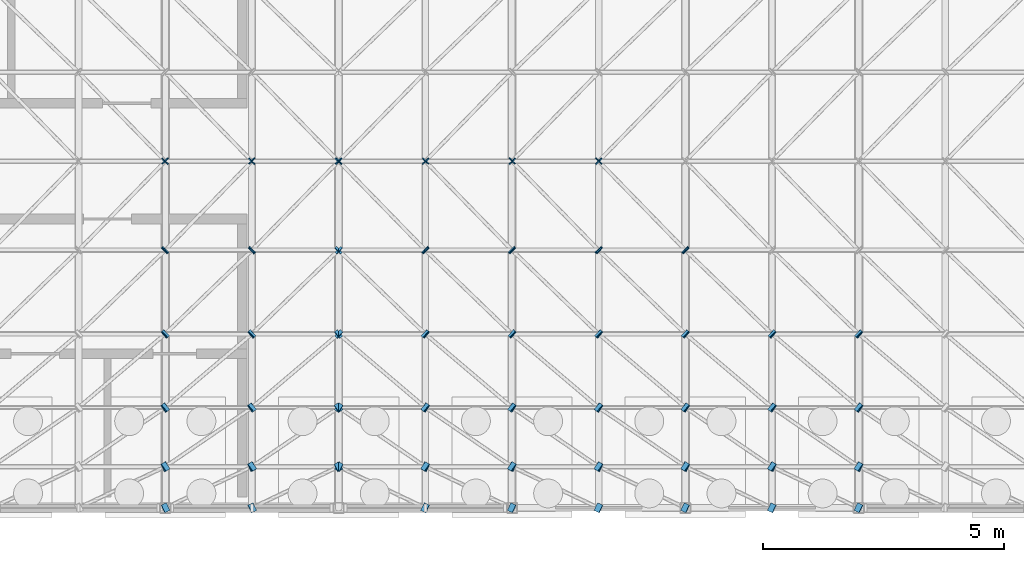
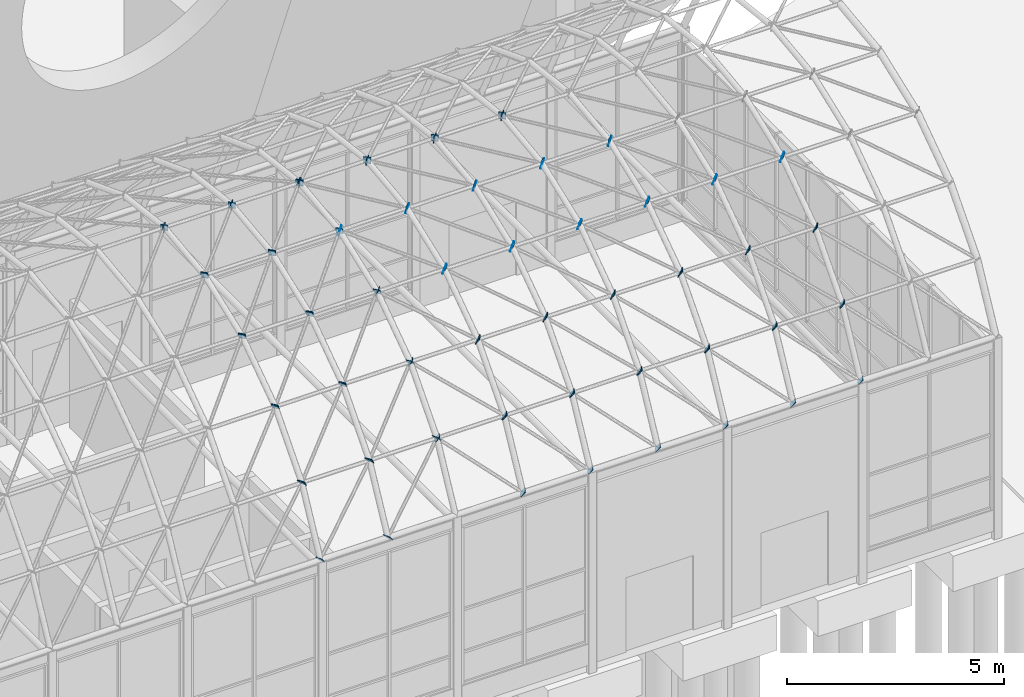
# One storey, part 103 of 116: 90 discrete accessories.
"""IFC4 building model written with IfcOpenShell, lengths in metres."""

from ifc_helpers import new_model, si_unit, direction, frame, origin, origin_2d, place, context, subcontext, project, spatial, rectangle, extrude, material, material_profile, profile_set, type_object, element, save


model = new_model("IFC4")

# Units and contexts
model_context = context("Model", 3, precision=1e-05, world=origin(), true_north=direction((0.0, 1.0)))
body_context = subcontext(model_context, "Body", "Model", "MODEL_VIEW")
ifc_project = project(units=[si_unit("LENGTHUNIT", "METRE"), si_unit("AREAUNIT", "SQUARE_METRE"), si_unit("VOLUMEUNIT", "CUBIC_METRE"), si_unit("PLANEANGLEUNIT", "RADIAN"), si_unit("MASSUNIT", "GRAM", prefix="KILO")], contexts=[model_context])

# Site, building, storey
site_placement = place(None, origin())
site = spatial("IfcSite", under=ifc_project, at=site_placement, CompositionType="ELEMENT")
building_placement = place(site_placement, origin())
building = spatial("IfcBuilding", under=site, at=building_placement, Name="Ardhachandra Cancer Care Centre", CompositionType="ELEMENT")
storey_placement = place(building_placement, origin())
storey = spatial("IfcBuildingStorey", under=building, at=storey_placement, Name="L00", CompositionType="ELEMENT", Elevation=0.0)

# Discrete accessories
ifc_material = material(Name="Steel E250 (IS 2062)", Category="steel")
ifc_material_profile = material_profile(ifc_material, rectangle(XDim=0.176025390625, YDim=0.176025390625, at=origin_2d()), Name="PL 176x176x12")
ifc_profile_set = profile_set([ifc_material_profile], Name="Steel E250 (IS 2062)")
discrete_accessory_type = type_object("IfcDiscreteAccessoryType", Name="Diagonal end plate 176 x 176 x 12", PredefinedType="BRACKET", material=ifc_profile_set)
for number, where, z_axis, x_axis, name in (
    (1, (74.39990234375, 8.056396484375, 7.05224609375), (-0.697959218879, -0.328451397119, -0.636374581919), (0.42579703633, -0.904818702201, 0.0), "Diagonal end plate Pavilion shell diagonal 05-00 2"),
    (2, (74.39990234375, 9.284912109375, 8.4501953125), (-0.692006675861, -0.468122163083, -0.549534713184), (0.560309367704, -0.828283413128, 0.0), "Diagonal end plate Pavilion shell diagonal 05-01 2"),
    (3, (74.39990234375, 10.813720703125, 9.51171875), (-0.694456264675, -0.592330343399, -0.408503685103), (0.648946606083, -0.760833951959, 0.0), "Diagonal end plate Pavilion shell diagonal 05-02 2"),
    (4, (74.39990234375, 12.552734375, 10.174560546875), (-0.695618049284, -0.675158694893, -0.245512252688), (0.696475377169, -0.717580691628, 0.0), "Diagonal end plate Pavilion shell diagonal 05-03 2"),
    (5, (74.39990234375, 14.39990234375, 10.39990234375), (-0.694456264675, -0.71488144893, -0.081700737021), (0.717279380859, -0.696785684263, 0.0), "Diagonal end plate Pavilion shell diagonal 05-04 2"),
    (6, (74.39990234375, 14.39990234375, 10.39990234375), (-0.694456264675, 0.71488144893, -0.081700737021), (-0.717279380859, -0.696785684263, 0.0), "Diagonal end plate Pavilion shell diagonal 06-05 1"),
):
    element("IfcDiscreteAccessory", number, at=place(storey_placement, frame(where, z_axis=z_axis, x_axis=x_axis)), inside=storey, type_object=discrete_accessory_type, Name=name, PredefinedType="BRACKET", context=body_context, shape_type="SweptSolid", body=[
        extrude(rectangle(XDim=0.176025390625, YDim=0.176025390625, at=origin_2d()), origin(), (0.0, 0.0, 1.0), 0.011962890625),
    ])
discrete_accessory_1_placement = place(storey_placement, frame((74.39990234375, 7.199951171875, 5.39990234375), z_axis=(0.699301048253, 0.319680479201, 0.639360958403), x_axis=(-0.415759760268, 0.909474475586, 0.0)))
element("IfcDiscreteAccessory", 7, at=discrete_accessory_1_placement, inside=storey, type_object=discrete_accessory_type, Name="Diagonal end plate Pavilion shell diagonal 06-00 1", PredefinedType="BRACKET", context=body_context, shape_type="SweptSolid", body=[
    extrude(rectangle(XDim=0.176025390625, YDim=0.176025390625, at=origin_2d()), origin(), (0.0, 0.0, 1.0), 0.01220703125),
])
discrete_accessory_2_placement = place(storey_placement, frame((76.199951171875, 8.056396484375, 7.05224609375), z_axis=(-0.697959218879, -0.328451397119, -0.636374581919), x_axis=(0.42579703633, -0.904818702201, 0.0)))
element("IfcDiscreteAccessory", 8, at=discrete_accessory_2_placement, inside=storey, type_object=discrete_accessory_type, Name="Diagonal end plate Pavilion shell diagonal 06-00 2", PredefinedType="BRACKET", context=body_context, shape_type="SweptSolid", body=[
    extrude(rectangle(XDim=0.176025390625, YDim=0.176025390625, at=origin_2d()), origin(), (0.0, 0.0, 1.0), 0.011962890625),
])
discrete_accessory_3_placement = place(storey_placement, frame((74.39990234375, 8.056396484375, 7.05224609375), z_axis=(0.695837425927, 0.477145663493, 0.536788871429), x_axis=(-0.565528355552, 0.824728851846, 0.0)))
element("IfcDiscreteAccessory", 9, at=discrete_accessory_3_placement, inside=storey, type_object=discrete_accessory_type, Name="Diagonal end plate Pavilion shell diagonal 06-01 1", PredefinedType="BRACKET", context=body_context, shape_type="SweptSolid", body=[
    extrude(rectangle(XDim=0.176025390625, YDim=0.176025390625, at=origin_2d()), origin(), (0.0, 0.0, 1.0), 0.01220703125),
])
discrete_accessory_4_placement = place(storey_placement, frame((76.199951171875, 9.284912109375, 8.4501953125), z_axis=(-0.692006675861, -0.468122163083, -0.549534713184), x_axis=(0.560309367704, -0.828283413128, 0.0)))
element("IfcDiscreteAccessory", 10, at=discrete_accessory_4_placement, inside=storey, type_object=discrete_accessory_type, Name="Diagonal end plate Pavilion shell diagonal 06-01 2", PredefinedType="BRACKET", context=body_context, shape_type="SweptSolid", body=[
    extrude(rectangle(XDim=0.176025390625, YDim=0.176025390625, at=origin_2d()), origin(), (0.0, 0.0, 1.0), 0.011962890625),
])
discrete_accessory_5_placement = place(storey_placement, frame((74.39990234375, 9.284912109375, 8.4501953125), z_axis=(0.704809108885, 0.583984690219, 0.40274806222), x_axis=(-0.63801786475, 0.770021560906, 0.0)))
element("IfcDiscreteAccessory", 11, at=discrete_accessory_5_placement, inside=storey, type_object=discrete_accessory_type, Name="Diagonal end plate Pavilion shell diagonal 06-02 1", PredefinedType="BRACKET", context=body_context, shape_type="SweptSolid", body=[
    extrude(rectangle(XDim=0.176025390625, YDim=0.176025390625, at=origin_2d()), origin(), (0.0, 0.0, 1.0), 0.01220703125),
])
discrete_accessory_6_placement = place(storey_placement, frame((76.199951171875, 10.813720703125, 9.51171875), z_axis=(-0.694456264675, -0.592330343399, -0.408503685103), x_axis=(0.648946606083, -0.760833951959, 0.0)))
element("IfcDiscreteAccessory", 12, at=discrete_accessory_6_placement, inside=storey, type_object=discrete_accessory_type, Name="Diagonal end plate Pavilion shell diagonal 06-02 2", PredefinedType="BRACKET", context=body_context, shape_type="SweptSolid", body=[
    extrude(rectangle(XDim=0.176025390625, YDim=0.176025390625, at=origin_2d()), origin(), (0.0, 0.0, 1.0), 0.011962890625),
])
discrete_accessory_7_placement = place(storey_placement, frame((74.39990234375, 10.813720703125, 9.51171875), z_axis=(0.702392207194, 0.66225550964, 0.260888534101), x_axis=(-0.686012868689, 0.727589406185, 0.0)))
element("IfcDiscreteAccessory", 13, at=discrete_accessory_7_placement, inside=storey, type_object=discrete_accessory_type, Name="Diagonal end plate Pavilion shell diagonal 06-03 1", PredefinedType="BRACKET", context=body_context, shape_type="SweptSolid", body=[
    extrude(rectangle(XDim=0.176025390625, YDim=0.176025390625, at=origin_2d()), origin(), (0.0, 0.0, 1.0), 0.01220703125),
])
discrete_accessory_8_placement = place(storey_placement, frame((76.199951171875, 12.552734375, 10.174560546875), z_axis=(-0.695618049284, -0.675158694893, -0.245512252688), x_axis=(0.696475377169, -0.717580691628, 0.0)))
element("IfcDiscreteAccessory", 14, at=discrete_accessory_8_placement, inside=storey, type_object=discrete_accessory_type, Name="Diagonal end plate Pavilion shell diagonal 06-03 2", PredefinedType="BRACKET", context=body_context, shape_type="SweptSolid", body=[
    extrude(rectangle(XDim=0.176025390625, YDim=0.176025390625, at=origin_2d()), origin(), (0.0, 0.0, 1.0), 0.011962890625),
])
discrete_accessory_9_placement = place(storey_placement, frame((74.39990234375, 12.552734375, 10.174560546875), z_axis=(0.703526470681, 0.703526470681, 0.100503781526), x_axis=(-0.707106781187, 0.707106781187, 0.0)))
element("IfcDiscreteAccessory", 15, at=discrete_accessory_9_placement, inside=storey, type_object=discrete_accessory_type, Name="Diagonal end plate Pavilion shell diagonal 06-04 1", PredefinedType="BRACKET", context=body_context, shape_type="SweptSolid", body=[
    extrude(rectangle(XDim=0.176025390625, YDim=0.176025390625, at=origin_2d()), origin(), (0.0, 0.0, 1.0), 0.01220703125),
])
for number, where, z_axis, x_axis, name in (
    (16, (76.199951171875, 14.39990234375, 10.39990234375), (-0.694456264675, -0.71488144893, -0.081700737021), (0.717279380859, -0.696785684263, 0.0), "Diagonal end plate Pavilion shell diagonal 06-04 2"),
    (17, (76.199951171875, 14.39990234375, 10.39990234375), (-0.694456264675, 0.71488144893, -0.081700737021), (-0.717279380859, -0.696785684263, 0.0), "Diagonal end plate Pavilion shell diagonal 07-05 1"),
    (18, (76.199951171875, 7.199951171875, 5.39990234375), (0.688874763702, 0.324176359389, 0.648352718778), (-0.42579703633, 0.904818702201, 0.0), "Diagonal end plate Pavilion shell diagonal 07-00 1"),
    (19, (78.0, 8.056396484375, 7.05224609375), (-0.697959218879, -0.328451397119, -0.636374581919), (0.42579703633, -0.904818702201, 0.0), "Diagonal end plate Pavilion shell diagonal 07-00 2"),
):
    element("IfcDiscreteAccessory", number, at=place(storey_placement, frame(where, z_axis=z_axis, x_axis=x_axis)), inside=storey, type_object=discrete_accessory_type, Name=name, PredefinedType="BRACKET", context=body_context, shape_type="SweptSolid", body=[
        extrude(rectangle(XDim=0.176025390625, YDim=0.176025390625, at=origin_2d()), origin(), (0.0, 0.0, 1.0), 0.011962890625),
    ])
discrete_accessory_10_placement = place(storey_placement, frame((76.199951171875, 8.056396484375, 7.05224609375), z_axis=(0.685366874707, 0.483788382146, 0.544261929915), x_axis=(-0.576683197599, 0.816967863265, 0.0)))
element("IfcDiscreteAccessory", 20, at=discrete_accessory_10_placement, inside=storey, type_object=discrete_accessory_type, Name="Diagonal end plate Pavilion shell diagonal 07-01 1", PredefinedType="BRACKET", context=body_context, shape_type="SweptSolid", body=[
    extrude(rectangle(XDim=0.176025390625, YDim=0.176025390625, at=origin_2d()), origin(), (0.0, 0.0, 1.0), 0.01220703125),
])
for number, where, z_axis, x_axis, name in (
    (21, (78.0, 9.284912109375, 8.4501953125), (-0.692006675861, -0.468122163083, -0.549534713184), (0.560309367704, -0.828283413128, 0.0), "Diagonal end plate Pavilion shell diagonal 07-01 2"),
    (22, (76.199951171875, 9.284912109375, 8.4501953125), (0.694456264675, 0.592330343399, 0.408503685103), (-0.648946606083, 0.760833951959, 0.0), "Diagonal end plate Pavilion shell diagonal 07-02 1"),
    (23, (78.0, 10.813720703125, 9.51171875), (-0.694456264675, -0.592330343399, -0.408503685103), (0.648946606083, -0.760833951959, 0.0), "Diagonal end plate Pavilion shell diagonal 07-02 2"),
    (24, (76.199951171875, 10.813720703125, 9.51171875), (0.692006675861, 0.671653538336, 0.264590787829), (-0.696475377169, 0.717580691628, 0.0), "Diagonal end plate Pavilion shell diagonal 07-03 1"),
    (25, (78.0, 12.552734375, 10.174560546875), (-0.695618049284, -0.675158694893, -0.245512252688), (0.696475377169, -0.717580691628, 0.0), "Diagonal end plate Pavilion shell diagonal 07-03 2"),
    (26, (76.199951171875, 12.552734375, 10.174560546875), (0.693156189404, 0.713543136151, 0.101934733736), (-0.717279380859, 0.696785684263, 0.0), "Diagonal end plate Pavilion shell diagonal 07-04 1"),
    (27, (78.0, 14.39990234375, 10.39990234375), (-0.694456264675, -0.71488144893, -0.081700737021), (0.717279380859, -0.696785684263, 0.0), "Diagonal end plate Pavilion shell diagonal 07-04 2"),
    (28, (78.0, 14.39990234375, 10.39990234375), (-0.694456264675, 0.71488144893, -0.081700737021), (-0.717279380859, -0.696785684263, 0.0), "Diagonal end plate Pavilion shell diagonal 08-05 1"),
    (29, (79.800048828125, 7.199951171875, 5.39990234375), (-0.688874763702, 0.324176359389, 0.648352718778), (-0.42579703633, -0.904818702201, 0.0), "Diagonal end plate Pavilion shell diagonal 09-00 1"),
    (30, (78.0, 8.056396484375, 7.05224609375), (0.697959218879, -0.328451397119, -0.636374581919), (0.42579703633, 0.904818702201, 0.0), "Diagonal end plate Pavilion shell diagonal 09-00 2"),
):
    element("IfcDiscreteAccessory", number, at=place(storey_placement, frame(where, z_axis=z_axis, x_axis=x_axis)), inside=storey, type_object=discrete_accessory_type, Name=name, PredefinedType="BRACKET", context=body_context, shape_type="SweptSolid", body=[
        extrude(rectangle(XDim=0.176025390625, YDim=0.176025390625, at=origin_2d()), origin(), (0.0, 0.0, 1.0), 0.011962890625),
    ])
discrete_accessory_11_placement = place(storey_placement, frame((79.800048828125, 8.056396484375, 7.05224609375), z_axis=(-0.685366874707, 0.483788382146, 0.544261929915), x_axis=(-0.576683197599, -0.816967863265, 0.0)))
element("IfcDiscreteAccessory", 31, at=discrete_accessory_11_placement, inside=storey, type_object=discrete_accessory_type, Name="Diagonal end plate Pavilion shell diagonal 09-01 1", PredefinedType="BRACKET", context=body_context, shape_type="SweptSolid", body=[
    extrude(rectangle(XDim=0.176025390625, YDim=0.176025390625, at=origin_2d()), origin(), (0.0, 0.0, 1.0), 0.01220703125),
])
for number, where, z_axis, x_axis, name in (
    (32, (78.0, 9.284912109375, 8.4501953125), (0.692006675861, -0.468122163083, -0.549534713184), (0.560309367704, 0.828283413128, 0.0), "Diagonal end plate Pavilion shell diagonal 09-01 2"),
    (33, (79.800048828125, 9.284912109375, 8.4501953125), (-0.694456264675, 0.592330343399, 0.408503685103), (-0.648946606083, -0.760833951959, 0.0), "Diagonal end plate Pavilion shell diagonal 09-02 1"),
    (34, (78.0, 10.813720703125, 9.51171875), (0.694456264675, -0.592330343399, -0.408503685103), (0.648946606083, 0.760833951959, 0.0), "Diagonal end plate Pavilion shell diagonal 09-02 2"),
    (35, (79.800048828125, 10.813720703125, 9.51171875), (-0.692006675861, 0.671653538336, 0.264590787829), (-0.696475377169, -0.717580691628, 0.0), "Diagonal end plate Pavilion shell diagonal 09-03 1"),
    (36, (78.0, 12.552734375, 10.174560546875), (0.695618049284, -0.675158694893, -0.245512252688), (0.696475377169, 0.717580691628, 0.0), "Diagonal end plate Pavilion shell diagonal 09-03 2"),
    (37, (79.800048828125, 12.552734375, 10.174560546875), (-0.693156189404, 0.713543136151, 0.101934733736), (-0.717279380859, -0.696785684263, 0.0), "Diagonal end plate Pavilion shell diagonal 09-04 1"),
    (38, (78.0, 14.39990234375, 10.39990234375), (0.694456264675, -0.71488144893, -0.081700737021), (0.717279380859, 0.696785684263, 0.0), "Diagonal end plate Pavilion shell diagonal 09-04 2"),
    (39, (78.0, 14.39990234375, 10.39990234375), (0.694456264675, 0.71488144893, -0.081700737021), (-0.717279380859, 0.696785684263, 0.0), "Diagonal end plate Pavilion shell diagonal 08-05 1"),
):
    element("IfcDiscreteAccessory", number, at=place(storey_placement, frame(where, z_axis=z_axis, x_axis=x_axis)), inside=storey, type_object=discrete_accessory_type, Name=name, PredefinedType="BRACKET", context=body_context, shape_type="SweptSolid", body=[
        extrude(rectangle(XDim=0.176025390625, YDim=0.176025390625, at=origin_2d()), origin(), (0.0, 0.0, 1.0), 0.011962890625),
    ])
discrete_accessory_12_placement = place(storey_placement, frame((81.60009765625, 7.199951171875, 5.39990234375), z_axis=(-0.699301048253, 0.319680479201, 0.639360958403), x_axis=(-0.415759760268, -0.909474475586, 0.0)))
element("IfcDiscreteAccessory", 40, at=discrete_accessory_12_placement, inside=storey, type_object=discrete_accessory_type, Name="Diagonal end plate Pavilion shell diagonal 10-00 1", PredefinedType="BRACKET", context=body_context, shape_type="SweptSolid", body=[
    extrude(rectangle(XDim=0.176025390625, YDim=0.176025390625, at=origin_2d()), origin(), (0.0, 0.0, 1.0), 0.01220703125),
])
discrete_accessory_13_placement = place(storey_placement, frame((79.800048828125, 8.056396484375, 7.05224609375), z_axis=(0.697959218879, -0.328451397119, -0.636374581919), x_axis=(0.42579703633, 0.904818702201, 0.0)))
element("IfcDiscreteAccessory", 41, at=discrete_accessory_13_placement, inside=storey, type_object=discrete_accessory_type, Name="Diagonal end plate Pavilion shell diagonal 10-00 2", PredefinedType="BRACKET", context=body_context, shape_type="SweptSolid", body=[
    extrude(rectangle(XDim=0.176025390625, YDim=0.176025390625, at=origin_2d()), origin(), (0.0, 0.0, 1.0), 0.011962890625),
])
discrete_accessory_14_placement = place(storey_placement, frame((81.60009765625, 8.056396484375, 7.05224609375), z_axis=(-0.695837425927, 0.477145663493, 0.536788871429), x_axis=(-0.565528355552, -0.824728851846, 0.0)))
element("IfcDiscreteAccessory", 42, at=discrete_accessory_14_placement, inside=storey, type_object=discrete_accessory_type, Name="Diagonal end plate Pavilion shell diagonal 10-01 1", PredefinedType="BRACKET", context=body_context, shape_type="SweptSolid", body=[
    extrude(rectangle(XDim=0.176025390625, YDim=0.176025390625, at=origin_2d()), origin(), (0.0, 0.0, 1.0), 0.01220703125),
])
discrete_accessory_15_placement = place(storey_placement, frame((79.800048828125, 9.284912109375, 8.4501953125), z_axis=(0.692006675861, -0.468122163083, -0.549534713184), x_axis=(0.560309367704, 0.828283413128, 0.0)))
element("IfcDiscreteAccessory", 43, at=discrete_accessory_15_placement, inside=storey, type_object=discrete_accessory_type, Name="Diagonal end plate Pavilion shell diagonal 10-01 2", PredefinedType="BRACKET", context=body_context, shape_type="SweptSolid", body=[
    extrude(rectangle(XDim=0.176025390625, YDim=0.176025390625, at=origin_2d()), origin(), (0.0, 0.0, 1.0), 0.011962890625),
])
discrete_accessory_16_placement = place(storey_placement, frame((81.60009765625, 9.284912109375, 8.4501953125), z_axis=(-0.704809108885, 0.583984690219, 0.40274806222), x_axis=(-0.63801786475, -0.770021560906, 0.0)))
element("IfcDiscreteAccessory", 44, at=discrete_accessory_16_placement, inside=storey, type_object=discrete_accessory_type, Name="Diagonal end plate Pavilion shell diagonal 10-02 1", PredefinedType="BRACKET", context=body_context, shape_type="SweptSolid", body=[
    extrude(rectangle(XDim=0.176025390625, YDim=0.176025390625, at=origin_2d()), origin(), (0.0, 0.0, 1.0), 0.01220703125),
])
discrete_accessory_17_placement = place(storey_placement, frame((79.800048828125, 10.813720703125, 9.51171875), z_axis=(0.694456264675, -0.592330343399, -0.408503685103), x_axis=(0.648946606083, 0.760833951959, 0.0)))
element("IfcDiscreteAccessory", 45, at=discrete_accessory_17_placement, inside=storey, type_object=discrete_accessory_type, Name="Diagonal end plate Pavilion shell diagonal 10-02 2", PredefinedType="BRACKET", context=body_context, shape_type="SweptSolid", body=[
    extrude(rectangle(XDim=0.176025390625, YDim=0.176025390625, at=origin_2d()), origin(), (0.0, 0.0, 1.0), 0.011962890625),
])
discrete_accessory_18_placement = place(storey_placement, frame((81.60009765625, 10.813720703125, 9.51171875), z_axis=(-0.702392207194, 0.66225550964, 0.260888534101), x_axis=(-0.686012868689, -0.727589406185, 0.0)))
element("IfcDiscreteAccessory", 46, at=discrete_accessory_18_placement, inside=storey, type_object=discrete_accessory_type, Name="Diagonal end plate Pavilion shell diagonal 10-03 1", PredefinedType="BRACKET", context=body_context, shape_type="SweptSolid", body=[
    extrude(rectangle(XDim=0.176025390625, YDim=0.176025390625, at=origin_2d()), origin(), (0.0, 0.0, 1.0), 0.01220703125),
])
discrete_accessory_19_placement = place(storey_placement, frame((79.800048828125, 12.552734375, 10.174560546875), z_axis=(0.695618049284, -0.675158694893, -0.245512252688), x_axis=(0.696475377169, 0.717580691628, 0.0)))
element("IfcDiscreteAccessory", 47, at=discrete_accessory_19_placement, inside=storey, type_object=discrete_accessory_type, Name="Diagonal end plate Pavilion shell diagonal 10-03 2", PredefinedType="BRACKET", context=body_context, shape_type="SweptSolid", body=[
    extrude(rectangle(XDim=0.176025390625, YDim=0.176025390625, at=origin_2d()), origin(), (0.0, 0.0, 1.0), 0.011962890625),
])
discrete_accessory_20_placement = place(storey_placement, frame((81.60009765625, 12.552734375, 10.174560546875), z_axis=(-0.703526470681, 0.703526470681, 0.100503781526), x_axis=(-0.707106781187, -0.707106781187, 0.0)))
element("IfcDiscreteAccessory", 48, at=discrete_accessory_20_placement, inside=storey, type_object=discrete_accessory_type, Name="Diagonal end plate Pavilion shell diagonal 10-04 1", PredefinedType="BRACKET", context=body_context, shape_type="SweptSolid", body=[
    extrude(rectangle(XDim=0.176025390625, YDim=0.176025390625, at=origin_2d()), origin(), (0.0, 0.0, 1.0), 0.01220703125),
])
for number, where, z_axis, x_axis, name in (
    (49, (79.800048828125, 14.39990234375, 10.39990234375), (0.694456264675, -0.71488144893, -0.081700737021), (0.717279380859, 0.696785684263, 0.0), "Diagonal end plate Pavilion shell diagonal 10-04 2"),
    (50, (79.800048828125, 14.39990234375, 10.39990234375), (0.694456264675, 0.71488144893, -0.081700737021), (-0.717279380859, 0.696785684263, 0.0), "Diagonal end plate Pavilion shell diagonal 09-05 1"),
    (51, (83.39990234375, 7.199951171875, 5.39990234375), (-0.688874763702, 0.324176359389, 0.648352718778), (-0.42579703633, -0.904818702201, 0.0), "Diagonal end plate Pavilion shell diagonal 11-00 1"),
    (52, (81.60009765625, 8.056396484375, 7.05224609375), (0.697959218879, -0.328451397119, -0.636374581919), (0.42579703633, 0.904818702201, 0.0), "Diagonal end plate Pavilion shell diagonal 11-00 2"),
):
    element("IfcDiscreteAccessory", number, at=place(storey_placement, frame(where, z_axis=z_axis, x_axis=x_axis)), inside=storey, type_object=discrete_accessory_type, Name=name, PredefinedType="BRACKET", context=body_context, shape_type="SweptSolid", body=[
        extrude(rectangle(XDim=0.176025390625, YDim=0.176025390625, at=origin_2d()), origin(), (0.0, 0.0, 1.0), 0.011962890625),
    ])
discrete_accessory_21_placement = place(storey_placement, frame((83.39990234375, 8.056396484375, 7.05224609375), z_axis=(-0.685366874707, 0.483788382146, 0.544261929915), x_axis=(-0.576683197599, -0.816967863265, 0.0)))
element("IfcDiscreteAccessory", 53, at=discrete_accessory_21_placement, inside=storey, type_object=discrete_accessory_type, Name="Diagonal end plate Pavilion shell diagonal 11-01 1", PredefinedType="BRACKET", context=body_context, shape_type="SweptSolid", body=[
    extrude(rectangle(XDim=0.176025390625, YDim=0.176025390625, at=origin_2d()), origin(), (0.0, 0.0, 1.0), 0.01220703125),
])
for number, where, z_axis, x_axis, name in (
    (54, (81.60009765625, 9.284912109375, 8.4501953125), (0.692006675861, -0.468122163083, -0.549534713184), (0.560309367704, 0.828283413128, 0.0), "Diagonal end plate Pavilion shell diagonal 11-01 2"),
    (55, (83.39990234375, 9.284912109375, 8.4501953125), (-0.694456264675, 0.592330343399, 0.408503685103), (-0.648946606083, -0.760833951959, 0.0), "Diagonal end plate Pavilion shell diagonal 11-02 1"),
    (56, (81.60009765625, 10.813720703125, 9.51171875), (0.694456264675, -0.592330343399, -0.408503685103), (0.648946606083, 0.760833951959, 0.0), "Diagonal end plate Pavilion shell diagonal 11-02 2"),
    (57, (83.39990234375, 10.813720703125, 9.51171875), (-0.692006675861, 0.671653538336, 0.264590787829), (-0.696475377169, -0.717580691628, 0.0), "Diagonal end plate Pavilion shell diagonal 11-03 1"),
    (58, (81.60009765625, 12.552734375, 10.174560546875), (0.695618049284, -0.675158694893, -0.245512252688), (0.696475377169, 0.717580691628, 0.0), "Diagonal end plate Pavilion shell diagonal 11-03 2"),
    (59, (83.39990234375, 12.552734375, 10.174560546875), (-0.693156189404, 0.713543136151, 0.101934733736), (-0.717279380859, -0.696785684263, 0.0), "Diagonal end plate Pavilion shell diagonal 11-04 1"),
    (60, (81.60009765625, 14.39990234375, 10.39990234375), (0.694456264675, -0.71488144893, -0.081700737021), (0.717279380859, 0.696785684263, 0.0), "Diagonal end plate Pavilion shell diagonal 11-04 2"),
    (61, (81.60009765625, 14.39990234375, 10.39990234375), (0.694456264675, 0.71488144893, -0.081700737021), (-0.717279380859, 0.696785684263, 0.0), "Diagonal end plate Pavilion shell diagonal 10-05 1"),
    (62, (85.199951171875, 7.199951171875, 5.39990234375), (-0.688874763702, 0.324176359389, 0.648352718778), (-0.42579703633, -0.904818702201, 0.0), "Diagonal end plate Pavilion shell diagonal 12-00 1"),
    (63, (83.39990234375, 8.056396484375, 7.05224609375), (0.708264076202, -0.323777863407, -0.62731961035), (0.415759760268, 0.909474475586, 0.0), "Diagonal end plate Pavilion shell diagonal 12-00 2"),
):
    element("IfcDiscreteAccessory", number, at=place(storey_placement, frame(where, z_axis=z_axis, x_axis=x_axis)), inside=storey, type_object=discrete_accessory_type, Name=name, PredefinedType="BRACKET", context=body_context, shape_type="SweptSolid", body=[
        extrude(rectangle(XDim=0.176025390625, YDim=0.176025390625, at=origin_2d()), origin(), (0.0, 0.0, 1.0), 0.011962890625),
    ])
for number, where, z_axis, x_axis, name in (
    (64, (85.199951171875, 8.056396484375, 7.05224609375), (-0.685366874707, 0.483788382146, 0.544261929915), (-0.576683197599, -0.816967863265, 0.0), "Diagonal end plate Pavilion shell diagonal 12-01 1"),
    (65, (83.39990234375, 9.284912109375, 8.4501953125), (0.702392207194, -0.46157202187, -0.541845416978), (0.549177886661, 0.835705479701, 0.0), "Diagonal end plate Pavilion shell diagonal 12-01 2"),
):
    element("IfcDiscreteAccessory", number, at=place(storey_placement, frame(where, z_axis=z_axis, x_axis=x_axis)), inside=storey, type_object=discrete_accessory_type, Name=name, PredefinedType="BRACKET", context=body_context, shape_type="SweptSolid", body=[
        extrude(rectangle(XDim=0.176025390625, YDim=0.176025390625, at=origin_2d()), origin(), (0.0, 0.0, 1.0), 0.01220703125),
    ])
discrete_accessory_22_placement = place(storey_placement, frame((85.199951171875, 9.284912109375, 8.4501953125), z_axis=(-0.694456264675, 0.592330343399, 0.408503685103), x_axis=(-0.648946606083, -0.760833951959, 0.0)))
element("IfcDiscreteAccessory", 66, at=discrete_accessory_22_placement, inside=storey, type_object=discrete_accessory_type, Name="Diagonal end plate Pavilion shell diagonal 12-02 1", PredefinedType="BRACKET", context=body_context, shape_type="SweptSolid", body=[
    extrude(rectangle(XDim=0.176025390625, YDim=0.176025390625, at=origin_2d()), origin(), (0.0, 0.0, 1.0), 0.011962890625),
])
discrete_accessory_23_placement = place(storey_placement, frame((83.39990234375, 10.813720703125, 9.51171875), z_axis=(0.704809108885, -0.583984690219, -0.40274806222), x_axis=(0.63801786475, 0.770021560906, 0.0)))
element("IfcDiscreteAccessory", 67, at=discrete_accessory_23_placement, inside=storey, type_object=discrete_accessory_type, Name="Diagonal end plate Pavilion shell diagonal 12-02 2", PredefinedType="BRACKET", context=body_context, shape_type="SweptSolid", body=[
    extrude(rectangle(XDim=0.176025390625, YDim=0.176025390625, at=origin_2d()), origin(), (0.0, 0.0, 1.0), 0.01220703125),
])
discrete_accessory_24_placement = place(storey_placement, frame((85.199951171875, 10.813720703125, 9.51171875), z_axis=(-0.692006675861, 0.671653538336, 0.264590787829), x_axis=(-0.696475377169, -0.717580691628, 0.0)))
element("IfcDiscreteAccessory", 68, at=discrete_accessory_24_placement, inside=storey, type_object=discrete_accessory_type, Name="Diagonal end plate Pavilion shell diagonal 12-03 1", PredefinedType="BRACKET", context=body_context, shape_type="SweptSolid", body=[
    extrude(rectangle(XDim=0.176025390625, YDim=0.176025390625, at=origin_2d()), origin(), (0.0, 0.0, 1.0), 0.011962890625),
])
discrete_accessory_25_placement = place(storey_placement, frame((83.39990234375, 12.552734375, 10.174560546875), z_axis=(0.705955140713, -0.665614846958, -0.24204176253), x_axis=(0.686012868689, 0.727589406185, 0.0)))
element("IfcDiscreteAccessory", 69, at=discrete_accessory_25_placement, inside=storey, type_object=discrete_accessory_type, Name="Diagonal end plate Pavilion shell diagonal 12-03 2", PredefinedType="BRACKET", context=body_context, shape_type="SweptSolid", body=[
    extrude(rectangle(XDim=0.176025390625, YDim=0.176025390625, at=origin_2d()), origin(), (0.0, 0.0, 1.0), 0.01220703125),
])
discrete_accessory_26_placement = place(storey_placement, frame((85.199951171875, 12.552734375, 10.174560546875), z_axis=(-0.693156189404, 0.713543136151, 0.101934733736), x_axis=(-0.717279380859, -0.696785684263, 0.0)))
element("IfcDiscreteAccessory", 70, at=discrete_accessory_26_placement, inside=storey, type_object=discrete_accessory_type, Name="Diagonal end plate Pavilion shell diagonal 12-04 1", PredefinedType="BRACKET", context=body_context, shape_type="SweptSolid", body=[
    extrude(rectangle(XDim=0.176025390625, YDim=0.176025390625, at=origin_2d()), origin(), (0.0, 0.0, 1.0), 0.011962890625),
])
for number, where, z_axis, x_axis, name in (
    (71, (83.39990234375, 14.39990234375, 10.39990234375), (0.704809108885, -0.704809108885, -0.080549612444), (0.707106781187, 0.707106781187, 0.0), "Diagonal end plate Pavilion shell diagonal 12-04 2"),
    (72, (83.39990234375, 14.39990234375, 10.39990234375), (0.704809108885, 0.704809108885, -0.080549612444), (-0.707106781187, 0.707106781187, 0.0), "Diagonal end plate Pavilion shell diagonal 11-05 1"),
):
    element("IfcDiscreteAccessory", number, at=place(storey_placement, frame(where, z_axis=z_axis, x_axis=x_axis)), inside=storey, type_object=discrete_accessory_type, Name=name, PredefinedType="BRACKET", context=body_context, shape_type="SweptSolid", body=[
        extrude(rectangle(XDim=0.176025390625, YDim=0.176025390625, at=origin_2d()), origin(), (0.0, 0.0, 1.0), 0.01220703125),
    ])
for number, where, z_axis, x_axis, name in (
    (73, (87.0, 7.199951171875, 5.39990234375), (-0.688874763702, 0.324176359389, 0.648352718778), (-0.42579703633, -0.904818702201, 0.0), "Diagonal end plate Pavilion shell diagonal 13-00 1"),
    (74, (85.199951171875, 8.056396484375, 7.05224609375), (0.697959218879, -0.328451397119, -0.636374581919), (0.42579703633, 0.904818702201, 0.0), "Diagonal end plate Pavilion shell diagonal 13-00 2"),
):
    element("IfcDiscreteAccessory", number, at=place(storey_placement, frame(where, z_axis=z_axis, x_axis=x_axis)), inside=storey, type_object=discrete_accessory_type, Name=name, PredefinedType="BRACKET", context=body_context, shape_type="SweptSolid", body=[
        extrude(rectangle(XDim=0.176025390625, YDim=0.176025390625, at=origin_2d()), origin(), (0.0, 0.0, 1.0), 0.011962890625),
    ])
discrete_accessory_27_placement = place(storey_placement, frame((87.0, 8.056396484375, 7.05224609375), z_axis=(-0.685366874707, 0.483788382146, 0.544261929915), x_axis=(-0.576683197599, -0.816967863265, 0.0)))
element("IfcDiscreteAccessory", 75, at=discrete_accessory_27_placement, inside=storey, type_object=discrete_accessory_type, Name="Diagonal end plate Pavilion shell diagonal 13-01 1", PredefinedType="BRACKET", context=body_context, shape_type="SweptSolid", body=[
    extrude(rectangle(XDim=0.176025390625, YDim=0.176025390625, at=origin_2d()), origin(), (0.0, 0.0, 1.0), 0.01220703125),
])
for number, where, z_axis, x_axis, name in (
    (76, (85.199951171875, 9.284912109375, 8.4501953125), (0.692006675861, -0.468122163083, -0.549534713184), (0.560309367704, 0.828283413128, 0.0), "Diagonal end plate Pavilion shell diagonal 13-01 2"),
    (77, (87.0, 9.284912109375, 8.4501953125), (-0.694456264675, 0.592330343399, 0.408503685103), (-0.648946606083, -0.760833951959, 0.0), "Diagonal end plate Pavilion shell diagonal 13-02 1"),
    (78, (85.199951171875, 10.813720703125, 9.51171875), (0.694456264675, -0.592330343399, -0.408503685103), (0.648946606083, 0.760833951959, 0.0), "Diagonal end plate Pavilion shell diagonal 13-02 2"),
    (79, (87.0, 10.813720703125, 9.51171875), (-0.692006675861, 0.671653538336, 0.264590787829), (-0.696475377169, -0.717580691628, 0.0), "Diagonal end plate Pavilion shell diagonal 13-03 1"),
    (80, (85.199951171875, 12.552734375, 10.174560546875), (0.695618049284, -0.675158694893, -0.245512252688), (0.696475377169, 0.717580691628, 0.0), "Diagonal end plate Pavilion shell diagonal 13-03 2"),
    (81, (88.800048828125, 7.199951171875, 5.39990234375), (-0.688874763702, 0.324176359389, 0.648352718778), (-0.42579703633, -0.904818702201, 0.0), "Diagonal end plate Pavilion shell diagonal 14-00 1"),
    (82, (87.0, 8.056396484375, 7.05224609375), (0.697959218879, -0.328451397119, -0.636374581919), (0.42579703633, 0.904818702201, 0.0), "Diagonal end plate Pavilion shell diagonal 14-00 2"),
):
    element("IfcDiscreteAccessory", number, at=place(storey_placement, frame(where, z_axis=z_axis, x_axis=x_axis)), inside=storey, type_object=discrete_accessory_type, Name=name, PredefinedType="BRACKET", context=body_context, shape_type="SweptSolid", body=[
        extrude(rectangle(XDim=0.176025390625, YDim=0.176025390625, at=origin_2d()), origin(), (0.0, 0.0, 1.0), 0.011962890625),
    ])
discrete_accessory_28_placement = place(storey_placement, frame((88.800048828125, 8.056396484375, 7.05224609375), z_axis=(-0.685366874707, 0.483788382146, 0.544261929915), x_axis=(-0.576683197599, -0.816967863265, 0.0)))
element("IfcDiscreteAccessory", 83, at=discrete_accessory_28_placement, inside=storey, type_object=discrete_accessory_type, Name="Diagonal end plate Pavilion shell diagonal 14-01 1", PredefinedType="BRACKET", context=body_context, shape_type="SweptSolid", body=[
    extrude(rectangle(XDim=0.176025390625, YDim=0.176025390625, at=origin_2d()), origin(), (0.0, 0.0, 1.0), 0.01220703125),
])
for number, where, z_axis, x_axis, name in (
    (84, (87.0, 9.284912109375, 8.4501953125), (0.692006675861, -0.468122163083, -0.549534713184), (0.560309367704, 0.828283413128, 0.0), "Diagonal end plate Pavilion shell diagonal 14-01 2"),
    (85, (88.800048828125, 9.284912109375, 8.4501953125), (-0.694456264675, 0.592330343399, 0.408503685103), (-0.648946606083, -0.760833951959, 0.0), "Diagonal end plate Pavilion shell diagonal 14-02 1"),
    (86, (87.0, 10.813720703125, 9.51171875), (0.694456264675, -0.592330343399, -0.408503685103), (0.648946606083, 0.760833951959, 0.0), "Diagonal end plate Pavilion shell diagonal 14-02 2"),
    (87, (88.800048828125, 10.813720703125, 9.51171875), (-0.692006675861, 0.671653538336, 0.264590787829), (-0.696475377169, -0.717580691628, 0.0), "Diagonal end plate Pavilion shell diagonal 14-03 1"),
    (88, (88.800048828125, 8.056396484375, 7.05224609375), (0.697959218879, -0.328451397119, -0.636374581919), (0.42579703633, 0.904818702201, 0.0), "Diagonal end plate Pavilion shell diagonal 15-00 2"),
    (89, (88.800048828125, 9.284912109375, 8.4501953125), (0.692006675861, -0.468122163083, -0.549534713184), (0.560309367704, 0.828283413128, 0.0), "Diagonal end plate Pavilion shell diagonal 15-01 2"),
    (90, (88.800048828125, 10.813720703125, 9.51171875), (0.694456264675, -0.592330343399, -0.408503685103), (0.648946606083, 0.760833951959, 0.0), "Diagonal end plate Pavilion shell diagonal 15-02 2"),
):
    element("IfcDiscreteAccessory", number, at=place(storey_placement, frame(where, z_axis=z_axis, x_axis=x_axis)), inside=storey, type_object=discrete_accessory_type, Name=name, PredefinedType="BRACKET", context=body_context, shape_type="SweptSolid", body=[
        extrude(rectangle(XDim=0.176025390625, YDim=0.176025390625, at=origin_2d()), origin(), (0.0, 0.0, 1.0), 0.011962890625),
    ])

save(model, "model.ifc")
